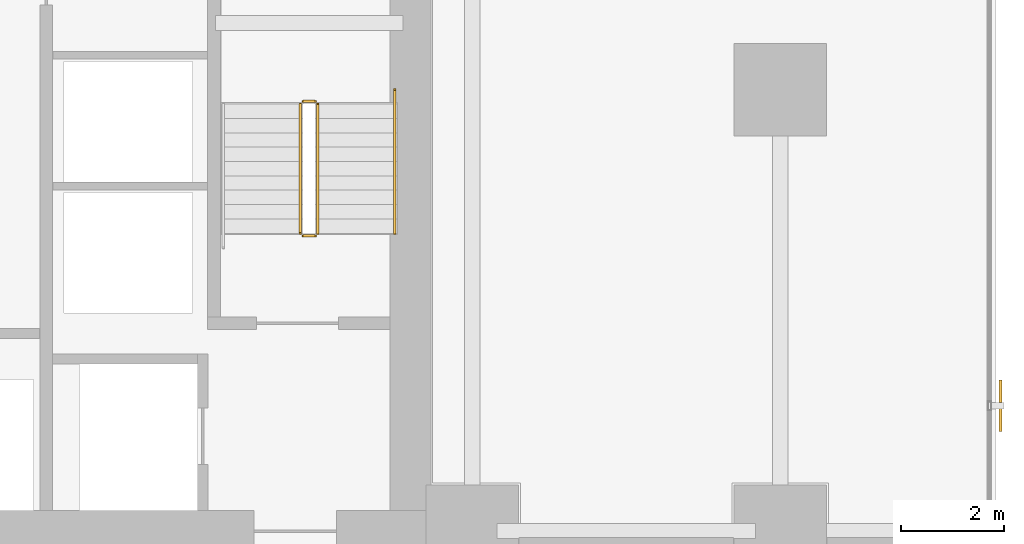
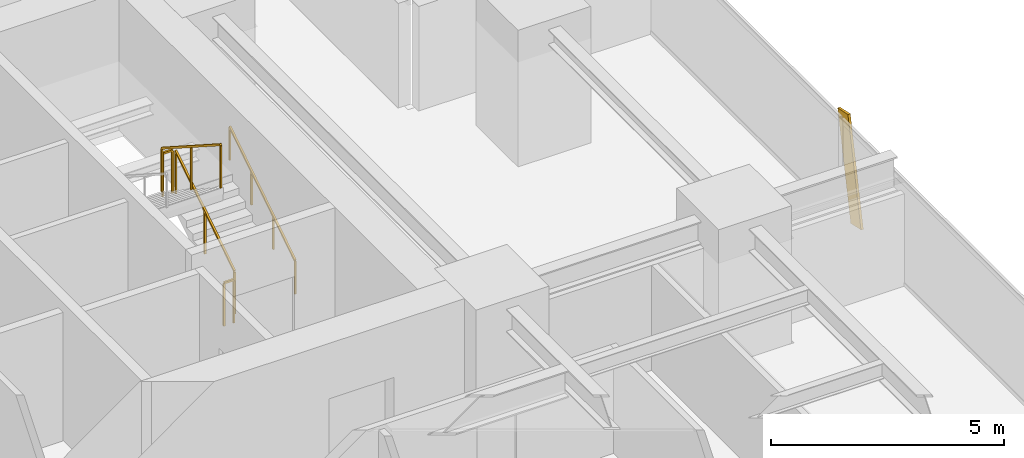
# One storey, part 31 of 32: 5 railings, 1 shading device.
"""IFC4 building model written with IfcOpenShell, lengths in metres."""

from ifc_helpers import new_model, si_unit, direction, frame, origin, origin_2d, place, context, subcontext, project, spatial, rectangle, extrude, source, transform, mapped, material, material_profile, profile_set, type_object, element, save


model = new_model("IFC4")

# Units and contexts
model_context = context("Model", 3, precision=1e-05, world=origin(), true_north=direction((0.0, 1.0)))
body_context = subcontext(model_context, "Body", "Model", "MODEL_VIEW")
ifc_project = project(units=[si_unit("LENGTHUNIT", "METRE"), si_unit("AREAUNIT", "SQUARE_METRE"), si_unit("VOLUMEUNIT", "CUBIC_METRE"), si_unit("PLANEANGLEUNIT", "RADIAN"), si_unit("MASSUNIT", "GRAM", prefix="KILO")], contexts=[model_context])

# Site, building, storey
site_placement = place(None, origin())
site = spatial("IfcSite", under=ifc_project, at=site_placement, CompositionType="ELEMENT")
building_placement = place(site_placement, origin())
building = spatial("IfcBuilding", under=site, at=building_placement, Name="Sumidabori Civic Tower", CompositionType="ELEMENT")
storey_placement = place(building_placement, frame((0.0, 0.0, 48.800048828125)))
storey = spatial("IfcBuildingStorey", under=building, at=storey_placement, Name="L12", CompositionType="ELEMENT", Elevation=48.800048828125)

# Railings
ifc_material_1 = material(Name="Stainless Steel Hairline Finish", Category="steel")
railing_type_1 = type_object("IfcRailingType", Name="RL-HANDRAIL", PredefinedType="HANDRAIL", material=ifc_material_1)
railing_1_placement = place(storey_placement, frame((15.2900390625, 16.0, 0.179931640625)))
element("IfcRailing", 1, at=railing_1_placement, inside=storey, type_object=railing_type_1, Name="L12 ST-2 stair handrail 1", PredefinedType="HANDRAIL", context=body_context, shape_type="SweptSolid", body=[
    extrude(rectangle(XDim=0.048095703125, YDim=0.048095703125, at=origin_2d()), frame((0.0, 0.0, 0.8759765625), z_axis=(0.0, 0.840675598268, 0.541539046124), x_axis=(-1.0, 0.0, 0.0)), (0.0, 0.0, 1.0), 3.330810546875),
    extrude(rectangle(XDim=0.0419921875, YDim=0.0419921875, at=origin_2d()), origin(), (0.0, 0.0, 1.0), 0.851806640625),
    extrude(rectangle(XDim=0.0419921875, YDim=0.0419921875, at=origin_2d()), frame((0.0, 0.933349609375, 0.601318359375)), (0.0, 0.0, 1.0), 0.851806640625),
    extrude(rectangle(XDim=0.0419921875, YDim=0.0419921875, at=origin_2d()), frame((0.0, 1.86669921875, 1.202392578125)), (0.0, 0.0, 1.0), 0.851806640625),
    extrude(rectangle(XDim=0.0419921875, YDim=0.0419921875, at=origin_2d()), frame((0.0, 2.800048828125, 1.8037109375)), (0.0, 0.0, 1.0), 0.851806640625),
])
ifc_material_2 = material(Name="Steel SN490", Category="steel")
railing_type_2 = type_object("IfcRailingType", Name="RL-STAIR-GUARD", PredefinedType="GUARDRAIL", material=ifc_material_2)
railing_2_placement = place(storey_placement, frame((13.7900390625, 16.0, 0.179931640625)))
element("IfcRailing", 2, at=railing_2_placement, inside=storey, type_object=railing_type_2, Name="L12 ST-2 stair guard 1", PredefinedType="GUARDRAIL", context=body_context, shape_type="SweptSolid", body=[
    extrude(rectangle(XDim=0.048095703125, YDim=0.048095703125, at=origin_2d()), frame((0.0, 0.0, 1.1259765625), z_axis=(0.0, 0.841162588446, 0.540782303519), x_axis=(-1.0, 0.0, 0.0)), (0.0, 0.0, 1.0), 2.995849609375),
    extrude(rectangle(XDim=0.0419921875, YDim=0.0419921875, at=origin_2d()), origin(), (0.0, 0.0, 1.0), 1.101806640625),
    extrude(rectangle(XDim=0.0419921875, YDim=0.0419921875, at=origin_2d()), frame((0.0, 1.260009765625, 0.81005859375)), (0.0, 0.0, 1.0), 1.101806640625),
    extrude(rectangle(XDim=0.0419921875, YDim=0.0419921875, at=origin_2d()), frame((0.0, 2.52001953125, 1.6201171875)), (0.0, 0.0, 1.0), 1.101806640625),
])
railing_3_placement = place(storey_placement, frame((13.739990234375, 18.570068359375, 1.800048828125)))
element("IfcRailing", 3, at=railing_3_placement, inside=storey, type_object=railing_type_2, Name="L12 ST-2 stair guard 2", PredefinedType="GUARDRAIL", context=body_context, shape_type="SweptSolid", body=[
    extrude(rectangle(XDim=0.048095703125, YDim=0.048095703125, at=origin_2d()), frame((0.0, 0.0, 1.1259765625), z_axis=(-1.0, 0.0, 0.0), x_axis=(0.0, -1.0, 0.0)), (0.0, 0.0, 1.0), 0.239990234375),
    extrude(rectangle(XDim=0.0419921875, YDim=0.0419921875, at=origin_2d()), origin(), (0.0, 0.0, 1.0), 1.101806640625),
    extrude(rectangle(XDim=0.0419921875, YDim=0.0419921875, at=origin_2d()), frame((-0.239990234375, 0.0, 0.0)), (0.0, 0.0, 1.0), 1.101806640625),
])
railing_4_placement = place(storey_placement, frame((13.449951171875, 18.52001953125, 1.97998046875)))
element("IfcRailing", 4, at=railing_4_placement, inside=storey, type_object=railing_type_2, Name="L12 ST-2 stair guard 3", PredefinedType="GUARDRAIL", context=body_context, shape_type="SweptSolid", body=[
    extrude(rectangle(XDim=0.048095703125, YDim=0.048095703125, at=origin_2d()), frame((0.0, 0.0, 1.1259765625), z_axis=(0.0, -0.841199657755, 0.540724639528), x_axis=(1.0, 0.0, 0.0)), (0.0, 0.0, 1.0), 2.995849609375),
    extrude(rectangle(XDim=0.0419921875, YDim=0.0419921875, at=origin_2d()), origin(), (0.0, 0.0, 1.0), 1.101806640625),
    extrude(rectangle(XDim=0.0419921875, YDim=0.0419921875, at=origin_2d()), frame((0.0, -1.260009765625, 0.81005859375)), (0.0, 0.0, 1.0), 1.101806640625),
    extrude(rectangle(XDim=0.0419921875, YDim=0.0419921875, at=origin_2d()), frame((0.0, -2.52001953125, 1.619873046875)), (0.0, 0.0, 1.0), 1.101806640625),
])
railing_5_placement = place(storey_placement, frame((13.739990234375, 15.949951171875, 0.0)))
element("IfcRailing", 5, at=railing_5_placement, inside=storey, type_object=railing_type_2, Name="L12 ST-2 stair guard 4", PredefinedType="GUARDRAIL", context=body_context, shape_type="SweptSolid", body=[
    extrude(rectangle(XDim=0.048095703125, YDim=0.048095703125, at=origin_2d()), frame((0.0, 0.0, 1.1259765625), z_axis=(-1.0, 0.0, 0.0), x_axis=(0.0, -1.0, 0.0)), (0.0, 0.0, 1.0), 0.239990234375),
    extrude(rectangle(XDim=0.0419921875, YDim=0.0419921875, at=origin_2d()), origin(), (0.0, 0.0, 1.0), 1.101806640625),
    extrude(rectangle(XDim=0.0419921875, YDim=0.0419921875, at=origin_2d()), frame((-0.239990234375, 0.0, 0.0)), (0.0, 0.0, 1.0), 1.101806640625),
])

# Shading device
ifc_material_3 = material(Name="Anodised Bronze Aluminium AW-6063-T6", Category="aluminium")
ifc_material_profile = material_profile(ifc_material_3, rectangle(XDim=0.06005859375, YDim=0.449951171875, at=origin_2d()), Name="BRONZE FIN 450x60")
ifc_profile_set = profile_set([ifc_material_profile], Name="Anodised Bronze Aluminium AW-6063-T6")
shading_device_type = type_object("IfcShadingDeviceType", Name="SH-FIN-450", PredefinedType="USERDEFINED", material=ifc_profile_set)
shared_shape = source(origin(), body_context, "Body", "SweptSolid", [
    extrude(rectangle(XDim=0.06005859375, YDim=0.449951171875, at=origin_2d()), origin(), (0.0, 0.0, 1.0), 2.73779296875),
])
shading_device_placement = place(storey_placement, frame((27.090087890625, 12.362060546875, 0.02001953125), z_axis=(0.0, 0.204563143937, 0.978853370093), x_axis=(-1.0, 0.0, 0.0)))
element("IfcShadingDevice", 6, at=shading_device_placement, inside=storey, type_object=shading_device_type, Name="Bronze Anodised Diagonal Fin L12-04", ObjectType="FIN", PredefinedType="USERDEFINED", context=body_context, shape_type="MappedRepresentation", body=[
    mapped(shared_shape, transform((0.0, 0.0, 0.0), x_axis=(1.0, 0.0, 0.0), y_axis=(0.0, 1.0, 0.0), z_axis=(0.0, 0.0, 1.0), scale=1.0)),
])

save(model, "model.ifc")
